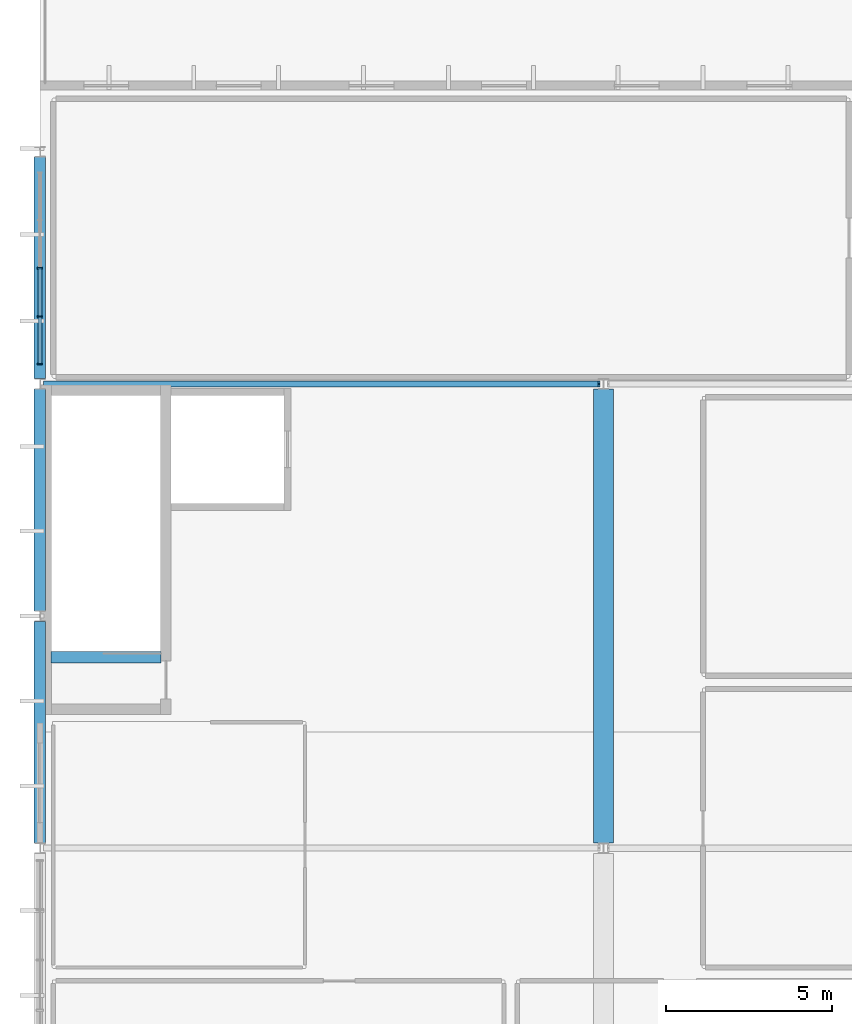
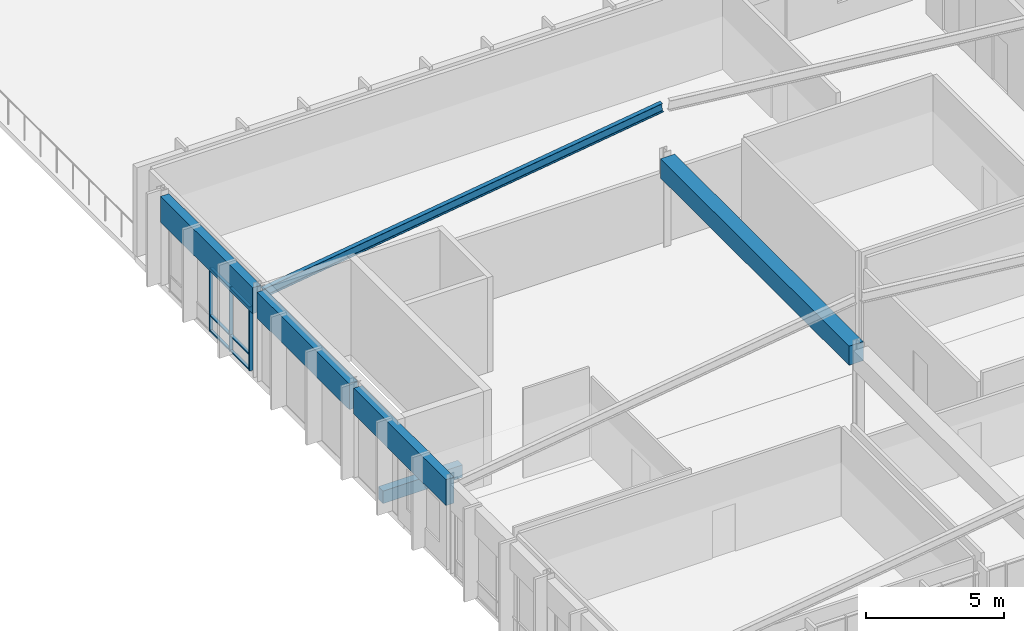
# One storey, part 7 of 16: 9 members, 6 beams, 1 element without a shape of its own.
"""IFC4 building model written with IfcOpenShell, lengths in metres."""

from ifc_helpers import new_model, si_unit, direction, frame, origin, origin_2d, place, context, subcontext, project, spatial, rectangle, i_section, extrude, material, material_profile, profile_set, type_object, element, aggregate, save


model = new_model("IFC4")

# Units and contexts
model_context = context("Model", 3, precision=1e-05, world=origin(), true_north=direction((0.0, 1.0)))
body_context = subcontext(model_context, "Body", "Model", "MODEL_VIEW")
ifc_project = project(units=[si_unit("LENGTHUNIT", "METRE"), si_unit("AREAUNIT", "SQUARE_METRE"), si_unit("VOLUMEUNIT", "CUBIC_METRE"), si_unit("PLANEANGLEUNIT", "RADIAN"), si_unit("MASSUNIT", "GRAM", prefix="KILO")], contexts=[model_context])

# Site, building, storey
site_placement = place(None, origin())
site = spatial("IfcSite", under=ifc_project, at=site_placement, CompositionType="ELEMENT")
building_placement = place(site_placement, origin())
building = spatial("IfcBuilding", under=site, at=building_placement, Name="Larkveld Mobility Hub", CompositionType="ELEMENT")
storey_placement = place(building_placement, frame((0.0, 0.0, 22.800048828125)))
storey = spatial("IfcBuildingStorey", under=building, at=storey_placement, Name="L06", CompositionType="ELEMENT", Elevation=22.800048828125)

# Beams
ifc_material_1 = material(Name="Precast concrete C50/60", Category="concrete")
ifc_material_profile_1 = material_profile(ifc_material_1, rectangle(XDim=0.60009765625, YDim=0.85009765625, at=origin_2d()), Name="PC ITB 600x850")
ifc_profile_set_1 = profile_set([ifc_material_profile_1], Name="Precast concrete C50/60")
beam_type_1 = type_object("IfcBeamType", Name="BM-ITB6085", PredefinedType="T_BEAM", material=ifc_profile_set_1)
beam_1_placement = place(storey_placement, frame((129.0, 42.159912109375, 3.554931640625), z_axis=(0.0, 1.0, 0.0), x_axis=(-1.0, 0.0, 0.0)))
element("IfcBeam", 1, at=beam_1_placement, inside=storey, type_object=beam_type_1, Name="Primary N-S Girder L06-1005", PredefinedType="T_BEAM", context=body_context, shape_type="SweptSolid", body=[
    extrude(rectangle(XDim=0.60009765625, YDim=0.85009765625, at=origin_2d()), origin(), (0.0, 0.0, 1.0), 13.68017578125),
])
ifc_material_2 = material(Name="Concrete C40/50", Category="concrete")
ifc_material_profile_2 = material_profile(ifc_material_2, rectangle(XDim=0.35009765625, YDim=0.550048828125, at=origin_2d()), Name="RC BM 350x550")
ifc_profile_set_2 = profile_set([ifc_material_profile_2], Name="Concrete C40/50")
beam_type_2 = type_object("IfcBeamType", Name="BM-RC3555", PredefinedType="BEAM", material=ifc_profile_set_2)
beam_2_placement = place(storey_placement, frame((112.330078125, 47.760009765625, -0.27001953125), z_axis=(1.0, 0.0, 0.0), x_axis=(0.0, 1.0, 0.0)))
element("IfcBeam", 2, at=beam_2_placement, inside=storey, type_object=beam_type_2, Name="Core C3 Stair Header Beam L06", PredefinedType="BEAM", context=body_context, shape_type="SweptSolid", body=[
    extrude(rectangle(XDim=0.35009765625, YDim=0.550048828125, at=origin_2d()), origin(), (0.0, 0.0, 1.0), 3.329833984375),
])
ifc_material_profile_3 = material_profile(ifc_material_1, rectangle(XDim=0.35009765625, YDim=1.14990234375, at=origin_2d()), Name="PC SP 350x1150")
ifc_profile_set_3 = profile_set([ifc_material_profile_3], Name="Precast concrete C50/60")
beam_type_3 = type_object("IfcBeamType", Name="BM-SP35115", PredefinedType="SPANDREL", material=ifc_profile_set_3)
for number, where, z_axis, x_axis, name in (
    (3, (112.0, 42.159912109375, 3.405029296875), (0.0, 1.0, 0.0), (-1.0, 0.0, 0.0), "Primary N-S Girder L06-1001"),
    (4, (112.0, 49.159912109375, 3.405029296875), (0.0, 1.0, 0.0), (-1.0, 0.0, 0.0), "Primary N-S Girder L06-1002"),
    (5, (112.0, 56.159912109375, 3.405029296875), (0.0, 1.0, 0.0), (-1.0, 0.0, 0.0), "Primary N-S Girder L06-1003"),
):
    element("IfcBeam", number, at=place(storey_placement, frame(where, z_axis=z_axis, x_axis=x_axis)), inside=storey, type_object=beam_type_3, Name=name, PredefinedType="SPANDREL", context=body_context, shape_type="SweptSolid", body=[
        extrude(rectangle(XDim=0.35009765625, YDim=1.14990234375, at=origin_2d()), origin(), (0.0, 0.0, 1.0), 6.68017578125),
    ])
ifc_material_3 = material(Name="Steel S355JR", Category="steel")
ifc_material_profile_4 = material_profile(ifc_material_3, i_section(OverallWidth=0.179931640625, OverallDepth=0.39990234375, WebThickness=0.008544921875, FlangeThickness=0.013427734375, FilletRadius=0.02099609375, at=origin_2d()), Name="IPE 400")
ifc_profile_set_4 = profile_set([ifc_material_profile_4], Name="Steel S355JR")
beam_type_4 = type_object("IfcBeamType", Name="BM-STIPE400", PredefinedType="BEAM", material=ifc_profile_set_4)
beam_3_placement = place(storey_placement, frame((112.139892578125, 56.0, 3.760009765625), z_axis=(0.990021643493, 0.0, 0.140915383885), x_axis=(0.0, 1.0, 0.0)))
element("IfcBeam", 6, at=beam_3_placement, inside=storey, type_object=beam_type_4, Name="Sports Pavilion West Rafter L06-1748", PredefinedType="BEAM", context=body_context, shape_type="SweptSolid", body=[
    extrude(i_section(OverallWidth=0.179931640625, OverallDepth=0.39990234375, WebThickness=0.008544921875, FlangeThickness=0.013427734375, FilletRadius=0.02099609375, at=origin_2d()), origin(), (0.0, 0.0, 1.0), 16.888671875),
])

# Curtain wall, members
ifc_material_4 = material(Name="Anodised aluminium 6063-T6", Category="aluminium")
curtain_wall_type = type_object("IfcCurtainWallType", Name="CW-SYS-05", PredefinedType="NOTDEFINED", material=ifc_material_4)
curtain_wall_placement = place(storey_placement, origin())
curtain_wall = element("IfcCurtainWall", 7, at=curtain_wall_placement, inside=storey, type_object=curtain_wall_type, Name="EV Wing West Glazing L06 CW-173", PredefinedType="NOTDEFINED")
ifc_material_profile_5 = material_profile(ifc_material_4, rectangle(XDim=0.050048828125, YDim=0.14990234375, at=origin_2d()), Name="ALU MULL 50x150")
ifc_profile_set_5 = profile_set([ifc_material_profile_5], Name="Anodised aluminium 6063-T6")
member_type_1 = type_object("IfcMemberType", Name="CW-MUL-01", PredefinedType="MULLION", material=ifc_profile_set_5)
member_1_placement = place(storey_placement, frame((112.0, 59.489990234375, -0.001953125), z_axis=(0.0, 0.0, 1.0), x_axis=(0.0, -1.0, 0.0)))
member_1 = element("IfcMember", 8, at=member_1_placement, type_object=member_type_1, Name="CW05 mullion 3", PredefinedType="MULLION", context=body_context, shape_type="SweptSolid", body=[
    extrude(rectangle(XDim=0.050048828125, YDim=0.14990234375, at=origin_2d()), origin(), (0.0, 0.0, 1.0), 2.831787109375),
])
member_2_placement = place(storey_placement, frame((112.0, 58.034912109375, -0.001953125), z_axis=(0.0, 0.0, 1.0), x_axis=(0.0, -1.0, 0.0)))
member_2 = element("IfcMember", 9, at=member_2_placement, type_object=member_type_1, Name="CW05 mullion 4", PredefinedType="MULLION", context=body_context, shape_type="SweptSolid", body=[
    extrude(rectangle(XDim=0.050048828125, YDim=0.14990234375, at=origin_2d()), origin(), (0.0, 0.0, 1.0), 2.831787109375),
])
member_3_placement = place(storey_placement, frame((112.0, 56.60498046875, -0.001953125), z_axis=(0.0, 0.0, 1.0), x_axis=(0.0, -1.0, 0.0)))
member_3 = element("IfcMember", 10, at=member_3_placement, type_object=member_type_1, Name="CW05 mullion 5", PredefinedType="MULLION", context=body_context, shape_type="SweptSolid", body=[
    extrude(rectangle(XDim=0.050048828125, YDim=0.14990234375, at=origin_2d()), origin(), (0.0, 0.0, 1.0), 2.831787109375),
])
ifc_material_profile_6 = material_profile(ifc_material_4, rectangle(XDim=0.1201171875, YDim=0.050048828125, at=origin_2d()), Name="ALU TRAN 50x120")
ifc_profile_set_6 = profile_set([ifc_material_profile_6], Name="Anodised aluminium 6063-T6")
member_type_2 = type_object("IfcMemberType", Name="CW-TRN-01", PredefinedType="USERDEFINED", material=ifc_profile_set_6)
member_4_placement = place(storey_placement, frame((112.0, 59.47509765625, 0.030029296875), z_axis=(0.0, -1.0, 0.0), x_axis=(1.0, 0.0, 0.0)))
member_4 = element("IfcMember", 11, at=member_4_placement, type_object=member_type_2, Name="CW05 transom 3.1", ObjectType="TRANSOM", PredefinedType="USERDEFINED", context=body_context, shape_type="SweptSolid", body=[
    extrude(rectangle(XDim=0.1201171875, YDim=0.050048828125, at=origin_2d()), origin(), (0.0, 0.0, 1.0), 1.425048828125),
])
member_5_placement = place(storey_placement, frame((112.0, 59.47509765625, 0.70703125), z_axis=(0.0, -1.0, 0.0), x_axis=(1.0, 0.0, 0.0)))
member_5 = element("IfcMember", 12, at=member_5_placement, type_object=member_type_2, Name="CW05 transom 3.2", ObjectType="TRANSOM", PredefinedType="USERDEFINED", context=body_context, shape_type="SweptSolid", body=[
    extrude(rectangle(XDim=0.1201171875, YDim=0.050048828125, at=origin_2d()), origin(), (0.0, 0.0, 1.0), 1.425048828125),
])
member_6_placement = place(storey_placement, frame((112.0, 59.47509765625, 2.7978515625), z_axis=(0.0, -1.0, 0.0), x_axis=(1.0, 0.0, 0.0)))
member_6 = element("IfcMember", 13, at=member_6_placement, type_object=member_type_2, Name="CW05 transom 3.3", ObjectType="TRANSOM", PredefinedType="USERDEFINED", context=body_context, shape_type="SweptSolid", body=[
    extrude(rectangle(XDim=0.1201171875, YDim=0.050048828125, at=origin_2d()), origin(), (0.0, 0.0, 1.0), 1.425048828125),
])
member_7_placement = place(storey_placement, frame((112.0, 58.02001953125, 0.030029296875), z_axis=(0.0, -1.0, 0.0), x_axis=(1.0, 0.0, 0.0)))
member_7 = element("IfcMember", 14, at=member_7_placement, type_object=member_type_2, Name="CW05 transom 4.1", ObjectType="TRANSOM", PredefinedType="USERDEFINED", context=body_context, shape_type="SweptSolid", body=[
    extrude(rectangle(XDim=0.1201171875, YDim=0.050048828125, at=origin_2d()), origin(), (0.0, 0.0, 1.0), 1.405029296875),
])
member_8_placement = place(storey_placement, frame((112.0, 58.02001953125, 0.70703125), z_axis=(0.0, -1.0, 0.0), x_axis=(1.0, 0.0, 0.0)))
member_8 = element("IfcMember", 15, at=member_8_placement, type_object=member_type_2, Name="CW05 transom 4.2", ObjectType="TRANSOM", PredefinedType="USERDEFINED", context=body_context, shape_type="SweptSolid", body=[
    extrude(rectangle(XDim=0.1201171875, YDim=0.050048828125, at=origin_2d()), origin(), (0.0, 0.0, 1.0), 1.405029296875),
])
member_9_placement = place(storey_placement, frame((112.0, 58.02001953125, 2.7978515625), z_axis=(0.0, -1.0, 0.0), x_axis=(1.0, 0.0, 0.0)))
member_9 = element("IfcMember", 16, at=member_9_placement, type_object=member_type_2, Name="CW05 transom 4.3", ObjectType="TRANSOM", PredefinedType="USERDEFINED", context=body_context, shape_type="SweptSolid", body=[
    extrude(rectangle(XDim=0.1201171875, YDim=0.050048828125, at=origin_2d()), origin(), (0.0, 0.0, 1.0), 1.405029296875),
])
aggregate(curtain_wall, [member_1, member_2, member_3, member_4, member_5, member_6, member_7, member_8, member_9])

save(model, "model.ifc")
